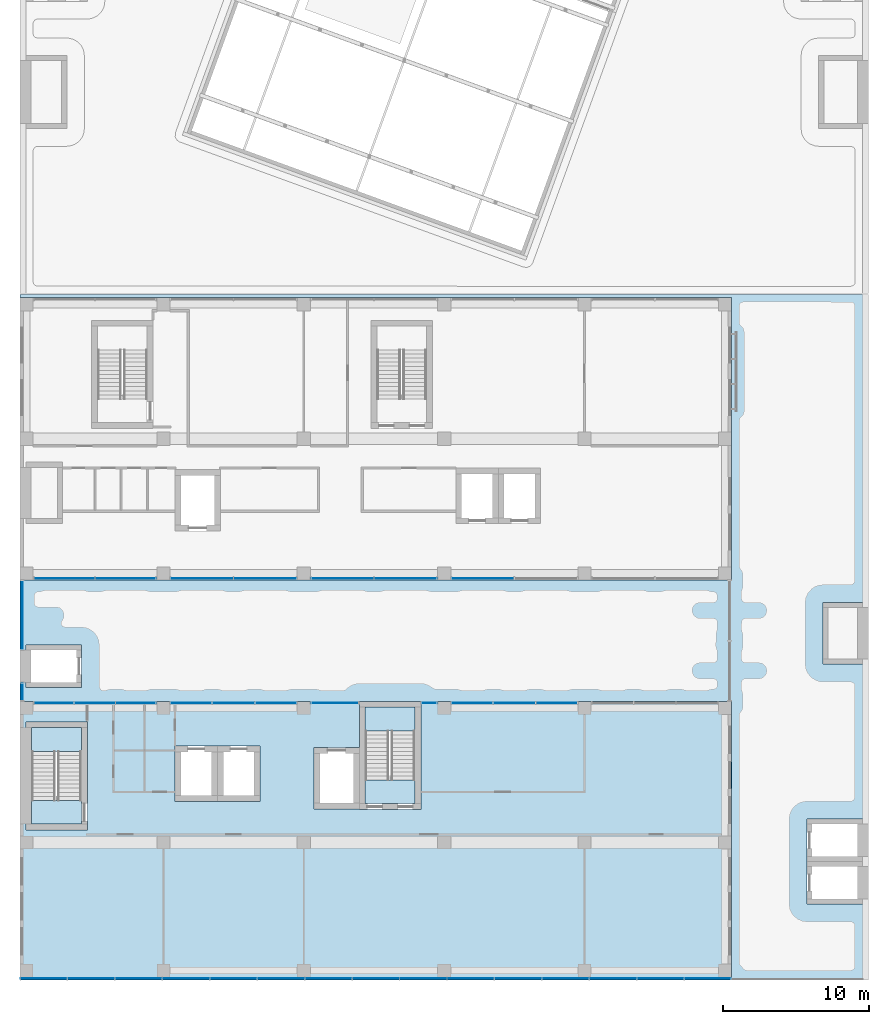
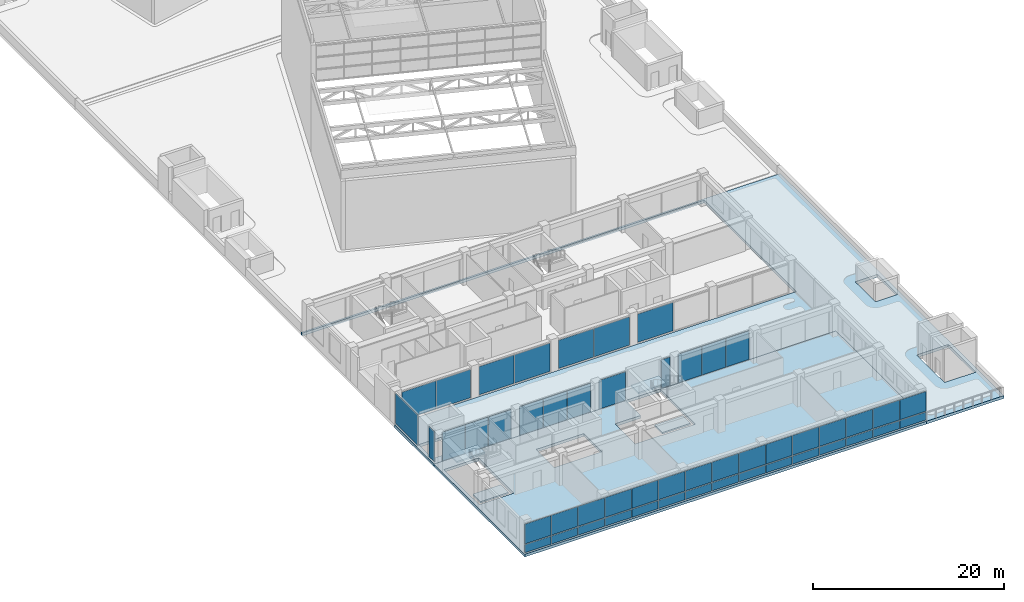
# One storey, part 55 of 72: 50 plates, 6 slabs, 14 elements without a shape of their own.
"""IFC4 building model written with IfcOpenShell, lengths in metres."""

from ifc_helpers import new_model, si_unit, direction, frame, origin, origin_2d, place, context, subcontext, project, spatial, polyline, rectangle, outline, extrude, material, layer, layer_set, type_object, element, aggregate, save


model = new_model("IFC4")

# Units and contexts
model_context = context("Model", 3, precision=1e-05, world=origin(), true_north=direction((0.0, 1.0)))
body_context = subcontext(model_context, "Body", "Model", "MODEL_VIEW")
ifc_project = project(units=[si_unit("LENGTHUNIT", "METRE"), si_unit("AREAUNIT", "SQUARE_METRE"), si_unit("VOLUMEUNIT", "CUBIC_METRE"), si_unit("PLANEANGLEUNIT", "RADIAN"), si_unit("MASSUNIT", "GRAM", prefix="KILO")], contexts=[model_context])

# Site, building, storey
site_placement = place(None, origin())
site = spatial("IfcSite", under=ifc_project, at=site_placement, CompositionType="ELEMENT")
building_placement = place(site_placement, origin())
building = spatial("IfcBuilding", under=site, at=building_placement, Name="Nzadi Deep Aquarium and Research Tower", CompositionType="ELEMENT")
storey_placement = place(building_placement, frame((0.0, 0.0, 31.89990234375)))
storey = spatial("IfcBuildingStorey", under=building, at=storey_placement, Name="L05", CompositionType="ELEMENT", Elevation=31.89990234375)

# Curtain wall, plates
ifc_material_1 = material(Name="Aluminium unitised frame", Category="aluminium")
ifc_layer_1 = layer(ifc_material_1, 0.199951171875)
ifc_layer_set_1 = layer_set([ifc_layer_1], Name="Aluminium unitised frame")
curtain_wall_type_1 = type_object("IfcCurtainWallType", Name="Curtain wall Unitised 200", PredefinedType="NOTDEFINED", material=ifc_layer_set_1)
curtain_wall_1_placement = place(storey_placement, origin())
curtain_wall_1 = element("IfcCurtainWall", 1, at=curtain_wall_1_placement, inside=storey, type_object=curtain_wall_type_1, Name="Unitised curtain wall blade A south L05", PredefinedType="NOTDEFINED")
ifc_material_2 = material(Name="Glass, sage tint", Category="glass")
ifc_layer_2 = layer(ifc_material_2, 0.035888671875)
ifc_layer_set_2 = layer_set([ifc_layer_2], Name="Glass, sage tint")
plate_type_1 = type_object("IfcPlateType", Name="Glazing panel 36 Unitised", PredefinedType="CURTAIN_PANEL", material=ifc_layer_set_2)
plate_1_placement = place(storey_placement, frame((1.436767578125, -0.10009765625, 1.260009765625), z_axis=(0.0, 0.0, 1.0), x_axis=(1.0, 0.0, 0.0)))
plate_1 = element("IfcPlate", 2, at=plate_1_placement, type_object=plate_type_1, Name="CW001 panel 1.2", PredefinedType="CURTAIN_PANEL", context=body_context, shape_type="SweptSolid", body=[
    extrude(rectangle(XDim=3.1533203125, YDim=0.035888671875, at=origin_2d()), origin(), (0.0, 0.0, 1.0), 2.52001953125),
])
plate_2_placement = place(storey_placement, frame((4.6650390625, -0.10009765625, 1.260009765625), z_axis=(0.0, 0.0, 1.0), x_axis=(1.0, 0.0, 0.0)))
plate_2 = element("IfcPlate", 3, at=plate_2_placement, type_object=plate_type_1, Name="CW001 panel 2.2", PredefinedType="CURTAIN_PANEL", context=body_context, shape_type="SweptSolid", body=[
    extrude(rectangle(XDim=3.183349609375, YDim=0.035888671875, at=origin_2d()), origin(), (0.0, 0.0, 1.0), 2.52001953125),
])
plate_3_placement = place(storey_placement, frame((7.908447265625, -0.10009765625, 1.260009765625), z_axis=(0.0, 0.0, 1.0), x_axis=(1.0, 0.0, 0.0)))
plate_3 = element("IfcPlate", 4, at=plate_3_placement, type_object=plate_type_1, Name="CW001 panel 3.2", PredefinedType="CURTAIN_PANEL", context=body_context, shape_type="SweptSolid", body=[
    extrude(rectangle(XDim=3.183349609375, YDim=0.035888671875, at=origin_2d()), origin(), (0.0, 0.0, 1.0), 2.52001953125),
])
plate_4_placement = place(storey_placement, frame((11.151611328125, -0.10009765625, 1.260009765625), z_axis=(0.0, 0.0, 1.0), x_axis=(1.0, 0.0, 0.0)))
plate_4 = element("IfcPlate", 5, at=plate_4_placement, type_object=plate_type_1, Name="CW001 panel 4.2", PredefinedType="CURTAIN_PANEL", context=body_context, shape_type="SweptSolid", body=[
    extrude(rectangle(XDim=3.183349609375, YDim=0.035888671875, at=origin_2d()), origin(), (0.0, 0.0, 1.0), 2.52001953125),
])
plate_5_placement = place(storey_placement, frame((14.39501953125, -0.10009765625, 1.260009765625), z_axis=(0.0, 0.0, 1.0), x_axis=(1.0, 0.0, 0.0)))
plate_5 = element("IfcPlate", 6, at=plate_5_placement, type_object=plate_type_1, Name="CW001 panel 5.2", PredefinedType="CURTAIN_PANEL", context=body_context, shape_type="SweptSolid", body=[
    extrude(rectangle(XDim=3.183349609375, YDim=0.035888671875, at=origin_2d()), origin(), (0.0, 0.0, 1.0), 2.52001953125),
])
plate_6_placement = place(storey_placement, frame((17.638427734375, -0.10009765625, 1.260009765625), z_axis=(0.0, 0.0, 1.0), x_axis=(1.0, 0.0, 0.0)))
plate_6 = element("IfcPlate", 7, at=plate_6_placement, type_object=plate_type_1, Name="CW001 panel 6.2", PredefinedType="CURTAIN_PANEL", context=body_context, shape_type="SweptSolid", body=[
    extrude(rectangle(XDim=3.183349609375, YDim=0.035888671875, at=origin_2d()), origin(), (0.0, 0.0, 1.0), 2.52001953125),
])
plate_7_placement = place(storey_placement, frame((20.881591796875, -0.10009765625, 1.260009765625), z_axis=(0.0, 0.0, 1.0), x_axis=(1.0, 0.0, 0.0)))
plate_7 = element("IfcPlate", 8, at=plate_7_placement, type_object=plate_type_1, Name="CW001 panel 7.2", PredefinedType="CURTAIN_PANEL", context=body_context, shape_type="SweptSolid", body=[
    extrude(rectangle(XDim=3.183349609375, YDim=0.035888671875, at=origin_2d()), origin(), (0.0, 0.0, 1.0), 2.52001953125),
])
plate_8_placement = place(storey_placement, frame((24.125, -0.10009765625, 1.260009765625), z_axis=(0.0, 0.0, 1.0), x_axis=(1.0, 0.0, 0.0)))
plate_8 = element("IfcPlate", 9, at=plate_8_placement, type_object=plate_type_1, Name="CW001 panel 8.2", PredefinedType="CURTAIN_PANEL", context=body_context, shape_type="SweptSolid", body=[
    extrude(rectangle(XDim=3.183349609375, YDim=0.035888671875, at=origin_2d()), origin(), (0.0, 0.0, 1.0), 2.52001953125),
])
plate_9_placement = place(storey_placement, frame((27.368408203125, -0.10009765625, 1.260009765625), z_axis=(0.0, 0.0, 1.0), x_axis=(1.0, 0.0, 0.0)))
plate_9 = element("IfcPlate", 10, at=plate_9_placement, type_object=plate_type_1, Name="CW001 panel 9.2", PredefinedType="CURTAIN_PANEL", context=body_context, shape_type="SweptSolid", body=[
    extrude(rectangle(XDim=3.183349609375, YDim=0.035888671875, at=origin_2d()), origin(), (0.0, 0.0, 1.0), 2.52001953125),
])
plate_10_placement = place(storey_placement, frame((30.611572265625, -0.10009765625, 1.260009765625), z_axis=(0.0, 0.0, 1.0), x_axis=(1.0, 0.0, 0.0)))
plate_10 = element("IfcPlate", 11, at=plate_10_placement, type_object=plate_type_1, Name="CW001 panel 10.2", PredefinedType="CURTAIN_PANEL", context=body_context, shape_type="SweptSolid", body=[
    extrude(rectangle(XDim=3.183349609375, YDim=0.035888671875, at=origin_2d()), origin(), (0.0, 0.0, 1.0), 2.52001953125),
])
plate_11_placement = place(storey_placement, frame((33.85498046875, -0.10009765625, 1.260009765625), z_axis=(0.0, 0.0, 1.0), x_axis=(1.0, 0.0, 0.0)))
plate_11 = element("IfcPlate", 12, at=plate_11_placement, type_object=plate_type_1, Name="CW001 panel 11.2", PredefinedType="CURTAIN_PANEL", context=body_context, shape_type="SweptSolid", body=[
    extrude(rectangle(XDim=3.183349609375, YDim=0.035888671875, at=origin_2d()), origin(), (0.0, 0.0, 1.0), 2.52001953125),
])
plate_12_placement = place(storey_placement, frame((37.098388671875, -0.10009765625, 1.260009765625), z_axis=(0.0, 0.0, 1.0), x_axis=(1.0, 0.0, 0.0)))
plate_12 = element("IfcPlate", 13, at=plate_12_placement, type_object=plate_type_1, Name="CW001 panel 12.2", PredefinedType="CURTAIN_PANEL", context=body_context, shape_type="SweptSolid", body=[
    extrude(rectangle(XDim=3.183349609375, YDim=0.035888671875, at=origin_2d()), origin(), (0.0, 0.0, 1.0), 2.52001953125),
])
plate_13_placement = place(storey_placement, frame((40.341552734375, -0.10009765625, 1.260009765625), z_axis=(0.0, 0.0, 1.0), x_axis=(1.0, 0.0, 0.0)))
plate_13 = element("IfcPlate", 14, at=plate_13_placement, type_object=plate_type_1, Name="CW001 panel 13.2", PredefinedType="CURTAIN_PANEL", context=body_context, shape_type="SweptSolid", body=[
    extrude(rectangle(XDim=3.183349609375, YDim=0.035888671875, at=origin_2d()), origin(), (0.0, 0.0, 1.0), 2.52001953125),
])
plate_14_placement = place(storey_placement, frame((43.5849609375, -0.10009765625, 1.260009765625), z_axis=(0.0, 0.0, 1.0), x_axis=(1.0, 0.0, 0.0)))
plate_14 = element("IfcPlate", 15, at=plate_14_placement, type_object=plate_type_1, Name="CW001 panel 14.2", PredefinedType="CURTAIN_PANEL", context=body_context, shape_type="SweptSolid", body=[
    extrude(rectangle(XDim=3.183349609375, YDim=0.035888671875, at=origin_2d()), origin(), (0.0, 0.0, 1.0), 2.52001953125),
])
plate_15_placement = place(storey_placement, frame((46.813232421875, -0.10009765625, 1.260009765625), z_axis=(0.0, 0.0, 1.0), x_axis=(1.0, 0.0, 0.0)))
plate_15 = element("IfcPlate", 16, at=plate_15_placement, type_object=plate_type_1, Name="CW001 panel 15.2", PredefinedType="CURTAIN_PANEL", context=body_context, shape_type="SweptSolid", body=[
    extrude(rectangle(XDim=3.1533203125, YDim=0.035888671875, at=origin_2d()), origin(), (0.0, 0.0, 1.0), 2.52001953125),
])

curtain_wall_2_placement = place(storey_placement, origin())
curtain_wall_2 = element("IfcCurtainWall", 17, at=curtain_wall_2_placement, inside=storey, type_object=curtain_wall_type_1, Name="Unitised curtain wall blade A north L05", PredefinedType="NOTDEFINED")
plate_16_placement = place(storey_placement, frame((2.123291015625, 18.75, 0.1201171875), z_axis=(0.0, 0.0, 1.0), x_axis=(1.0, 0.0, 0.0)))
plate_16 = element("IfcPlate", 18, at=plate_16_placement, type_object=plate_type_1, Name="CW002 panel 1.1", PredefinedType="CURTAIN_PANEL", context=body_context, shape_type="SweptSolid", body=[
    extrude(rectangle(XDim=2.7265625, YDim=0.035888671875, at=origin_2d()), origin(), (0.0, 0.0, 1.0), 3.659912109375),
])
plate_17_placement = place(storey_placement, frame((4.925048828125, 18.75, 0.1201171875), z_axis=(0.0, 0.0, 1.0), x_axis=(1.0, 0.0, 0.0)))
plate_17 = element("IfcPlate", 19, at=plate_17_placement, type_object=plate_type_1, Name="CW002 panel 2.1", PredefinedType="CURTAIN_PANEL", context=body_context, shape_type="SweptSolid", body=[
    extrude(rectangle(XDim=2.756591796875, YDim=0.035888671875, at=origin_2d()), origin(), (0.0, 0.0, 1.0), 3.659912109375),
])
plate_18_placement = place(storey_placement, frame((7.7265625, 18.75, 0.1201171875), z_axis=(0.0, 0.0, 1.0), x_axis=(1.0, 0.0, 0.0)))
plate_18 = element("IfcPlate", 20, at=plate_18_placement, type_object=plate_type_1, Name="CW002 panel 3.1", PredefinedType="CURTAIN_PANEL", context=body_context, shape_type="SweptSolid", body=[
    extrude(rectangle(XDim=2.7265625, YDim=0.035888671875, at=origin_2d()), origin(), (0.0, 0.0, 1.0), 3.659912109375),
])
aggregate(curtain_wall_2, [plate_16, plate_17, plate_18])

curtain_wall_3_placement = place(storey_placement, origin())
curtain_wall_3 = element("IfcCurtainWall", 21, at=curtain_wall_3_placement, inside=storey, type_object=curtain_wall_type_1, Name="Unitised curtain wall blade A north L05", PredefinedType="NOTDEFINED")
plate_19_placement = place(storey_placement, frame((11.514892578125, 18.75, 0.1201171875), z_axis=(0.0, 0.0, 1.0), x_axis=(1.0, 0.0, 0.0)))
plate_19 = element("IfcPlate", 22, at=plate_19_placement, type_object=plate_type_1, Name="CW003 panel 1.1", PredefinedType="CURTAIN_PANEL", context=body_context, shape_type="SweptSolid", body=[
    extrude(rectangle(XDim=2.81005859375, YDim=0.035888671875, at=origin_2d()), origin(), (0.0, 0.0, 1.0), 3.659912109375),
])
plate_20_placement = place(storey_placement, frame((14.39990234375, 18.75, 0.1201171875), z_axis=(0.0, 0.0, 1.0), x_axis=(1.0, 0.0, 0.0)))
plate_20 = element("IfcPlate", 23, at=plate_20_placement, type_object=plate_type_1, Name="CW003 panel 2.1", PredefinedType="CURTAIN_PANEL", context=body_context, shape_type="SweptSolid", body=[
    extrude(rectangle(XDim=2.840087890625, YDim=0.035888671875, at=origin_2d()), origin(), (0.0, 0.0, 1.0), 3.659912109375),
])
plate_21_placement = place(storey_placement, frame((17.284912109375, 18.75, 0.1201171875), z_axis=(0.0, 0.0, 1.0), x_axis=(1.0, 0.0, 0.0)))
plate_21 = element("IfcPlate", 24, at=plate_21_placement, type_object=plate_type_1, Name="CW003 panel 3.1", PredefinedType="CURTAIN_PANEL", context=body_context, shape_type="SweptSolid", body=[
    extrude(rectangle(XDim=2.81005859375, YDim=0.035888671875, at=origin_2d()), origin(), (0.0, 0.0, 1.0), 3.659912109375),
])
aggregate(curtain_wall_3, [plate_19, plate_20, plate_21])

# Curtain wall, plate
curtain_wall_4_placement = place(storey_placement, origin())
curtain_wall_4 = element("IfcCurtainWall", 25, at=curtain_wall_4_placement, inside=storey, type_object=curtain_wall_type_1, Name="Unitised curtain wall blade A north L05", PredefinedType="NOTDEFINED")
plate_22_placement = place(storey_placement, frame((21.324951171875, 18.75, 0.1201171875), z_axis=(0.0, 0.0, 1.0), x_axis=(1.0, 0.0, 0.0)))
plate_22 = element("IfcPlate", 26, at=plate_22_placement, type_object=plate_type_1, Name="CW004 panel 1.1", PredefinedType="CURTAIN_PANEL", context=body_context, shape_type="SweptSolid", body=[
    extrude(rectangle(XDim=3.22998046875, YDim=0.035888671875, at=origin_2d()), origin(), (0.0, 0.0, 1.0), 3.659912109375),
])
aggregate(curtain_wall_4, [plate_22])

curtain_wall_5_placement = place(storey_placement, origin())
curtain_wall_5 = element("IfcCurtainWall", 27, at=curtain_wall_5_placement, inside=storey, type_object=curtain_wall_type_1, Name="Unitised curtain wall blade A north L05", PredefinedType="NOTDEFINED")
plate_23_placement = place(storey_placement, frame((27.77490234375, 18.75, 0.1201171875), z_axis=(0.0, 0.0, 1.0), x_axis=(1.0, 0.0, 0.0)))
plate_23 = element("IfcPlate", 28, at=plate_23_placement, type_object=plate_type_1, Name="CW005 panel 1.1", PredefinedType="CURTAIN_PANEL", context=body_context, shape_type="SweptSolid", body=[
    extrude(rectangle(XDim=1.030029296875, YDim=0.035888671875, at=origin_2d()), origin(), (0.0, 0.0, 1.0), 3.659912109375),
])
aggregate(curtain_wall_5, [plate_23])

# Curtain wall, plates
curtain_wall_6_placement = place(storey_placement, origin())
curtain_wall_6 = element("IfcCurtainWall", 29, at=curtain_wall_6_placement, inside=storey, type_object=curtain_wall_type_1, Name="Unitised curtain wall blade A north L05", PredefinedType="NOTDEFINED")
plate_24_placement = place(storey_placement, frame((30.715087890625, 18.75, 0.1201171875), z_axis=(0.0, 0.0, 1.0), x_axis=(1.0, 0.0, 0.0)))
plate_24 = element("IfcPlate", 30, at=plate_24_placement, type_object=plate_type_1, Name="CW006 panel 1.1", PredefinedType="CURTAIN_PANEL", context=body_context, shape_type="SweptSolid", body=[
    extrude(rectangle(XDim=2.81005859375, YDim=0.035888671875, at=origin_2d()), origin(), (0.0, 0.0, 1.0), 3.659912109375),
])
plate_25_placement = place(storey_placement, frame((33.60009765625, 18.75, 0.1201171875), z_axis=(0.0, 0.0, 1.0), x_axis=(1.0, 0.0, 0.0)))
plate_25 = element("IfcPlate", 31, at=plate_25_placement, type_object=plate_type_1, Name="CW006 panel 2.1", PredefinedType="CURTAIN_PANEL", context=body_context, shape_type="SweptSolid", body=[
    extrude(rectangle(XDim=2.840087890625, YDim=0.035888671875, at=origin_2d()), origin(), (0.0, 0.0, 1.0), 3.659912109375),
])
plate_26_placement = place(storey_placement, frame((36.485107421875, 18.75, 0.1201171875), z_axis=(0.0, 0.0, 1.0), x_axis=(1.0, 0.0, 0.0)))
plate_26 = element("IfcPlate", 32, at=plate_26_placement, type_object=plate_type_1, Name="CW006 panel 3.1", PredefinedType="CURTAIN_PANEL", context=body_context, shape_type="SweptSolid", body=[
    extrude(rectangle(XDim=2.81005859375, YDim=0.035888671875, at=origin_2d()), origin(), (0.0, 0.0, 1.0), 3.659912109375),
])
aggregate(curtain_wall_6, [plate_24, plate_25, plate_26])

ifc_material_3 = material(Name="Aluminium unitised frame deep", Category="aluminium")
ifc_layer_3 = layer(ifc_material_3, 0.22509765625)
ifc_layer_set_3 = layer_set([ifc_layer_3], Name="Aluminium unitised frame deep")
curtain_wall_type_2 = type_object("IfcCurtainWallType", Name="Curtain wall Unitised Deep 225", PredefinedType="NOTDEFINED", material=ifc_layer_set_3)
curtain_wall_7_placement = place(storey_placement, origin())
curtain_wall_7 = element("IfcCurtainWall", 33, at=curtain_wall_7_placement, inside=storey, type_object=curtain_wall_type_2, Name="Unitised curtain wall blade B south L05", PredefinedType="NOTDEFINED")
ifc_material_4 = material(Name="Glass, sage tint", Category="glass")
ifc_layer_4 = layer(ifc_material_4, 0.0400390625)
ifc_layer_set_4 = layer_set([ifc_layer_4], Name="Glass, sage tint")
plate_type_2 = type_object("IfcPlateType", Name="Glazing panel 40 Unitised Deep", PredefinedType="CURTAIN_PANEL", material=ifc_layer_set_4)
plate_27_placement = place(storey_placement, frame((2.827392578125, 27.262451171875, 0.14013671875), z_axis=(0.0, 0.0, 1.0), x_axis=(1.0, 0.0, 0.0)))
plate_27 = element("IfcPlate", 34, at=plate_27_placement, type_object=plate_type_2, Name="CW078 panel 1.1", PredefinedType="CURTAIN_PANEL", context=body_context, shape_type="SweptSolid", body=[
    extrude(rectangle(XDim=4.135009765625, YDim=0.0400390625, at=origin_2d()), origin(), (0.0, 0.0, 1.0), 3.6201171875),
])
plate_28_placement = place(storey_placement, frame((7.0224609375, 27.262451171875, 0.14013671875), z_axis=(0.0, 0.0, 1.0), x_axis=(1.0, 0.0, 0.0)))
plate_28 = element("IfcPlate", 35, at=plate_28_placement, type_object=plate_type_2, Name="CW078 panel 2.1", PredefinedType="CURTAIN_PANEL", context=body_context, shape_type="SweptSolid", body=[
    extrude(rectangle(XDim=4.135009765625, YDim=0.0400390625, at=origin_2d()), origin(), (0.0, 0.0, 1.0), 3.6201171875),
])
aggregate(curtain_wall_7, [plate_27, plate_28])

curtain_wall_8_placement = place(storey_placement, origin())
curtain_wall_8 = element("IfcCurtainWall", 36, at=curtain_wall_8_placement, inside=storey, type_object=curtain_wall_type_2, Name="Unitised curtain wall blade B south L05", PredefinedType="NOTDEFINED")
plate_29_placement = place(storey_placement, frame((12.239990234375, 27.262451171875, 0.14013671875), z_axis=(0.0, 0.0, 1.0), x_axis=(1.0, 0.0, 0.0)))
plate_29 = element("IfcPlate", 37, at=plate_29_placement, type_object=plate_type_2, Name="CW079 panel 1.1", PredefinedType="CURTAIN_PANEL", context=body_context, shape_type="SweptSolid", body=[
    extrude(rectangle(XDim=4.260009765625, YDim=0.0400390625, at=origin_2d()), origin(), (0.0, 0.0, 1.0), 3.6201171875),
])
plate_30_placement = place(storey_placement, frame((16.56005859375, 27.262451171875, 0.14013671875), z_axis=(0.0, 0.0, 1.0), x_axis=(1.0, 0.0, 0.0)))
plate_30 = element("IfcPlate", 38, at=plate_30_placement, type_object=plate_type_2, Name="CW079 panel 2.1", PredefinedType="CURTAIN_PANEL", context=body_context, shape_type="SweptSolid", body=[
    extrude(rectangle(XDim=4.260009765625, YDim=0.0400390625, at=origin_2d()), origin(), (0.0, 0.0, 1.0), 3.6201171875),
])
aggregate(curtain_wall_8, [plate_29, plate_30])

curtain_wall_9_placement = place(storey_placement, origin())
curtain_wall_9 = element("IfcCurtainWall", 39, at=curtain_wall_9_placement, inside=storey, type_object=curtain_wall_type_2, Name="Unitised curtain wall blade B south L05", PredefinedType="NOTDEFINED")
plate_31_placement = place(storey_placement, frame((21.840087890625, 27.262451171875, 0.14013671875), z_axis=(0.0, 0.0, 1.0), x_axis=(1.0, 0.0, 0.0)))
plate_31 = element("IfcPlate", 40, at=plate_31_placement, type_object=plate_type_2, Name="CW080 panel 1.1", PredefinedType="CURTAIN_PANEL", context=body_context, shape_type="SweptSolid", body=[
    extrude(rectangle(XDim=4.260009765625, YDim=0.0400390625, at=origin_2d()), origin(), (0.0, 0.0, 1.0), 3.6201171875),
])
plate_32_placement = place(storey_placement, frame((26.159912109375, 27.262451171875, 0.14013671875), z_axis=(0.0, 0.0, 1.0), x_axis=(1.0, 0.0, 0.0)))
plate_32 = element("IfcPlate", 41, at=plate_32_placement, type_object=plate_type_2, Name="CW080 panel 2.1", PredefinedType="CURTAIN_PANEL", context=body_context, shape_type="SweptSolid", body=[
    extrude(rectangle(XDim=4.260009765625, YDim=0.0400390625, at=origin_2d()), origin(), (0.0, 0.0, 1.0), 3.6201171875),
])
aggregate(curtain_wall_9, [plate_31, plate_32])

# Curtain wall, plate
curtain_wall_10_placement = place(storey_placement, origin())
curtain_wall_10 = element("IfcCurtainWall", 42, at=curtain_wall_10_placement, inside=storey, type_object=curtain_wall_type_2, Name="Unitised curtain wall blade B south L05", PredefinedType="NOTDEFINED")
plate_33_placement = place(storey_placement, frame((31.43994140625, 27.262451171875, 0.14013671875), z_axis=(0.0, 0.0, 1.0), x_axis=(1.0, 0.0, 0.0)))
plate_33 = element("IfcPlate", 43, at=plate_33_placement, type_object=plate_type_2, Name="CW081 panel 1.1", PredefinedType="CURTAIN_PANEL", context=body_context, shape_type="SweptSolid", body=[
    extrude(rectangle(XDim=4.260009765625, YDim=0.0400390625, at=origin_2d()), origin(), (0.0, 0.0, 1.0), 3.6201171875),
])
aggregate(curtain_wall_10, [plate_33])

ifc_material_5 = material(Name="Aluminium unitised frame wind post", Category="aluminium")
ifc_layer_5 = layer(ifc_material_5, 0.300048828125)
ifc_layer_set_5 = layer_set([ifc_layer_5], Name="Aluminium unitised frame wind post")
curtain_wall_type_3 = type_object("IfcCurtainWallType", Name="Curtain wall Slot End 300", PredefinedType="NOTDEFINED", material=ifc_layer_set_5)
curtain_wall_11_placement = place(storey_placement, origin())
curtain_wall_11 = element("IfcCurtainWall", 44, at=curtain_wall_11_placement, inside=storey, type_object=curtain_wall_type_3, Name="Glazed slot end west L05", PredefinedType="NOTDEFINED")
ifc_material_6 = material(Name="Glass, sage tint", Category="glass")
ifc_layer_6 = layer(ifc_material_6, 0.0439453125)
ifc_layer_set_6 = layer_set([ifc_layer_6], Name="Glass, sage tint")
plate_type_3 = type_object("IfcPlateType", Name="Glazing panel 44 Slot End", PredefinedType="CURTAIN_PANEL", material=ifc_layer_set_6)
plate_34_placement = place(storey_placement, frame((-0.050048828125, 19.5, 0.16015625), z_axis=(0.0, 0.0, 1.0), x_axis=(0.0, 1.0, 0.0)))
plate_34 = element("IfcPlate", 45, at=plate_34_placement, type_object=plate_type_3, Name="CW200 panel 1.1", PredefinedType="CURTAIN_PANEL", context=body_context, shape_type="SweptSolid", body=[
    extrude(rectangle(XDim=1.179931640625, YDim=0.0439453125, at=origin_2d()), origin(), (0.0, 0.0, 1.0), 3.8798828125),
])
aggregate(curtain_wall_11, [plate_34])

curtain_wall_12_placement = place(storey_placement, origin())
curtain_wall_12 = element("IfcCurtainWall", 46, at=curtain_wall_12_placement, inside=storey, type_object=curtain_wall_type_3, Name="Glazed slot end west L05", PredefinedType="NOTDEFINED")
plate_35_placement = place(storey_placement, frame((-0.050048828125, 24.75, 0.16015625), z_axis=(0.0, 0.0, 1.0), x_axis=(0.0, 1.0, 0.0)))
plate_35 = element("IfcPlate", 47, at=plate_35_placement, type_object=plate_type_3, Name="CW201 panel 1.1", PredefinedType="CURTAIN_PANEL", context=body_context, shape_type="SweptSolid", body=[
    extrude(rectangle(XDim=4.679931640625, YDim=0.0439453125, at=origin_2d()), origin(), (0.0, 0.0, 1.0), 3.8798828125),
])
aggregate(curtain_wall_12, [plate_35])

# Stair, slabs
ifc_material_7 = material(Name="Concrete C35/45", Category="concrete")
stair_type = type_object("IfcStairType", Name="STAIR RETURN 3000", PredefinedType="NOTDEFINED", material=ifc_material_7)
stair_1_placement = place(storey_placement, origin())
stair_1 = element("IfcStair", 48, at=stair_1_placement, inside=storey, type_object=stair_type, Name="Stair ST-Z1-SW L05", PredefinedType="HALF_TURN_STAIR")
ifc_material_8 = material(Name="Concrete C35/45", Category="concrete")
ifc_layer_7 = layer(ifc_material_8, 0.199951171875)
ifc_layer_set_7 = layer_set([ifc_layer_7], Name="Concrete C35/45")
slab_type_1 = type_object("IfcSlabType", Name="LANDING 200", PredefinedType="LANDING", material=ifc_layer_set_7)
slab_1_placement = place(storey_placement, frame((0.0, 0.0, -0.199951171875)))
slab_1 = element("IfcSlab", 49, at=slab_1_placement, type_object=slab_type_1, Name="ST-Z1-SW landing 1", PredefinedType="LANDING", context=body_context, shape_type="SweptSolid", body=[
    extrude(outline(polyline([(0.60009765625, 10.449951171875), (4.0, 10.449951171875), (4.0, 12.070068359375), (0.60009765625, 12.070068359375), (0.60009765625, 10.449951171875)])), origin(), (0.0, 0.0, 1.0), 0.199951171875),
])
slab_2_placement = place(storey_placement, frame((0.0, 0.0, 1.900146484375)))
slab_2 = element("IfcSlab", 50, at=slab_2_placement, type_object=slab_type_1, Name="ST-Z1-SW landing 2", PredefinedType="LANDING", context=body_context, shape_type="SweptSolid", body=[
    extrude(outline(polyline([(0.60009765625, 15.429931640625), (4.0, 15.429931640625), (4.0, 17.050048828125), (0.60009765625, 17.050048828125), (0.60009765625, 15.429931640625)])), origin(), (0.0, 0.0, 1.0), 0.199951171875),
])
aggregate(stair_1, [slab_1, slab_2])

stair_2_placement = place(storey_placement, origin())
stair_2 = element("IfcStair", 51, at=stair_2_placement, inside=storey, type_object=stair_type, Name="Stair ST-Z1-SE L05", PredefinedType="HALF_TURN_STAIR")
slab_3_placement = place(storey_placement, frame((0.0, 0.0, -0.199951171875)))
slab_3 = element("IfcSlab", 52, at=slab_3_placement, type_object=slab_type_1, Name="ST-Z1-SE landing 1", PredefinedType="LANDING", context=body_context, shape_type="SweptSolid", body=[
    extrude(outline(polyline([(23.39990234375, 11.85009765625), (26.800048828125, 11.85009765625), (26.800048828125, 13.469970703125), (23.39990234375, 13.469970703125), (23.39990234375, 11.85009765625)])), origin(), (0.0, 0.0, 1.0), 0.199951171875),
])
slab_4_placement = place(storey_placement, frame((0.0, 0.0, 1.900146484375)))
slab_4 = element("IfcSlab", 53, at=slab_4_placement, type_object=slab_type_1, Name="ST-Z1-SE landing 2", PredefinedType="LANDING", context=body_context, shape_type="SweptSolid", body=[
    extrude(outline(polyline([(23.39990234375, 16.830078125), (26.800048828125, 16.830078125), (26.800048828125, 18.449951171875), (23.39990234375, 18.449951171875), (23.39990234375, 16.830078125)])), origin(), (0.0, 0.0, 1.0), 0.199951171875),
])
aggregate(stair_2, [slab_3, slab_4])

# Slabs
ifc_material_9 = material(Name="Concrete C35/45", Category="concrete")
ifc_layer_8 = layer(ifc_material_9, 0.35009765625)
ifc_layer_set_8 = layer_set([ifc_layer_8], Name="Concrete C35/45")
slab_type_2 = type_object("IfcSlabType", Name="RC floor slab 350", PredefinedType="FLOOR", material=ifc_layer_set_8)
slab_5_placement = place(storey_placement, frame((0.0, 0.0, -0.349853515625)))
element("IfcSlab", 54, at=slab_5_placement, inside=storey, type_object=slab_type_2, Name="Tower floor A L05", PredefinedType="FLOOR", context=body_context, shape_type="SweptSolid", body=[
    extrude(outline(polyline([(27.199951171875, 11.449951171875), (23.0, 11.449951171875), (23.0, 11.5), (19.89990234375, 11.5), (19.89990234375, 15.699951171875), (23.0, 15.699951171875), (23.0, 18.85009765625), (-0.199462890625, 18.85009765625), (-0.199462890625, -0.199951171875), (48.449951171875, -0.199951171875), (48.449951171875, 18.85009765625), (27.199951171875, 18.85009765625), (27.199951171875, 11.449951171875)]), holes=[polyline([(4.39990234375, 17.449951171875), (4.39990234375, 10.050048828125), (0.199951171875, 10.050048828125), (0.199951171875, 17.449951171875), (4.39990234375, 17.449951171875)]), polyline([(10.39990234375, 12.0), (10.39990234375, 15.800048828125), (13.300048828125, 15.800048828125), (16.199951171875, 15.800048828125), (16.199951171875, 12.0), (13.300048828125, 12.0), (10.39990234375, 12.0)])]), origin(), (0.0, 0.0, 1.0), 0.349853515625),
])
ifc_material_10 = material(Name="Concrete C35/45", Category="concrete")
ifc_layer_9 = layer(ifc_material_10, 0.35009765625)
ifc_layer_set_9 = layer_set([ifc_layer_9], Name="Concrete C35/45")
slab_type_3 = type_object("IfcSlabType", Name="RC roof slab 350", PredefinedType="ROOF", material=ifc_layer_set_9)
slab_6_placement = place(storey_placement, frame((0.0, 0.0, -0.349853515625)))
element("IfcSlab", 55, at=slab_6_placement, inside=storey, type_object=slab_type_3, Name="Terrace L05 Z1", PredefinedType="ROOF", context=body_context, shape_type="SweptSolid", body=[
    extrude(outline(polyline([(-0.199462890625, 18.85009765625), (48.449951171875, 18.85009765625), (48.449951171875, -0.199951171875), (57.799560546875, -0.199951171875), (57.799560546875, 46.679931640625), (-0.199462890625, 46.679931640625), (-0.199462890625, 46.449951171875), (48.449951171875, 46.449951171875), (48.449951171875, 27.14990234375), (-0.199462890625, 27.14990234375), (-0.199462890625, 18.85009765625)]), holes=[polyline([(4.0, 19.800048828125), (0.199951171875, 19.800048828125), (0.199951171875, 22.699951171875), (4.0, 22.699951171875), (4.0, 19.800048828125)]), polyline([(57.39990234375, 5.0), (53.60009765625, 5.0), (53.60009765625, 7.89990234375), (53.60009765625, 10.800048828125), (57.39990234375, 10.800048828125), (57.39990234375, 7.89990234375), (57.39990234375, 5.0)]), polyline([(57.39990234375, 25.60009765625), (57.39990234375, 21.39990234375), (54.699951171875, 21.39990234375), (54.699951171875, 25.60009765625), (57.39990234375, 25.60009765625)])]), origin(), (0.0, 0.0, 1.0), 0.349853515625),
])

# Plate
ifc_material_11 = material(Name="Glass spandrel, enamelled", Category="glass")
ifc_layer_10 = layer(ifc_material_11, 0.035888671875)
ifc_layer_set_10 = layer_set([ifc_layer_10], Name="Glass spandrel, enamelled")
plate_type_4 = type_object("IfcPlateType", Name="Spandrel panel 36 Unitised", PredefinedType="CURTAIN_PANEL", material=ifc_layer_set_10)
plate_36_placement = place(storey_placement, frame((1.436767578125, -0.10009765625, 0.1201171875), z_axis=(0.0, 0.0, 1.0), x_axis=(1.0, 0.0, 0.0)))
plate_36 = element("IfcPlate", 56, at=plate_36_placement, type_object=plate_type_4, Name="CW001 panel 1.1", PredefinedType="CURTAIN_PANEL", context=body_context, shape_type="SweptSolid", body=[
    extrude(rectangle(XDim=3.1533203125, YDim=0.035888671875, at=origin_2d()), origin(), (0.0, 0.0, 1.0), 1.02001953125),
])

plate_37_placement = place(storey_placement, frame((4.6650390625, -0.10009765625, 0.1201171875), z_axis=(0.0, 0.0, 1.0), x_axis=(1.0, 0.0, 0.0)))
plate_37 = element("IfcPlate", 57, at=plate_37_placement, type_object=plate_type_4, Name="CW001 panel 2.1", PredefinedType="CURTAIN_PANEL", context=body_context, shape_type="SweptSolid", body=[
    extrude(rectangle(XDim=3.183349609375, YDim=0.035888671875, at=origin_2d()), origin(), (0.0, 0.0, 1.0), 1.02001953125),
])

plate_38_placement = place(storey_placement, frame((7.908447265625, -0.10009765625, 0.1201171875), z_axis=(0.0, 0.0, 1.0), x_axis=(1.0, 0.0, 0.0)))
plate_38 = element("IfcPlate", 58, at=plate_38_placement, type_object=plate_type_4, Name="CW001 panel 3.1", PredefinedType="CURTAIN_PANEL", context=body_context, shape_type="SweptSolid", body=[
    extrude(rectangle(XDim=3.183349609375, YDim=0.035888671875, at=origin_2d()), origin(), (0.0, 0.0, 1.0), 1.02001953125),
])

plate_39_placement = place(storey_placement, frame((11.151611328125, -0.10009765625, 0.1201171875), z_axis=(0.0, 0.0, 1.0), x_axis=(1.0, 0.0, 0.0)))
plate_39 = element("IfcPlate", 59, at=plate_39_placement, type_object=plate_type_4, Name="CW001 panel 4.1", PredefinedType="CURTAIN_PANEL", context=body_context, shape_type="SweptSolid", body=[
    extrude(rectangle(XDim=3.183349609375, YDim=0.035888671875, at=origin_2d()), origin(), (0.0, 0.0, 1.0), 1.02001953125),
])

plate_40_placement = place(storey_placement, frame((14.39501953125, -0.10009765625, 0.1201171875), z_axis=(0.0, 0.0, 1.0), x_axis=(1.0, 0.0, 0.0)))
plate_40 = element("IfcPlate", 60, at=plate_40_placement, type_object=plate_type_4, Name="CW001 panel 5.1", PredefinedType="CURTAIN_PANEL", context=body_context, shape_type="SweptSolid", body=[
    extrude(rectangle(XDim=3.183349609375, YDim=0.035888671875, at=origin_2d()), origin(), (0.0, 0.0, 1.0), 1.02001953125),
])

plate_41_placement = place(storey_placement, frame((17.638427734375, -0.10009765625, 0.1201171875), z_axis=(0.0, 0.0, 1.0), x_axis=(1.0, 0.0, 0.0)))
plate_41 = element("IfcPlate", 61, at=plate_41_placement, type_object=plate_type_4, Name="CW001 panel 6.1", PredefinedType="CURTAIN_PANEL", context=body_context, shape_type="SweptSolid", body=[
    extrude(rectangle(XDim=3.183349609375, YDim=0.035888671875, at=origin_2d()), origin(), (0.0, 0.0, 1.0), 1.02001953125),
])

plate_42_placement = place(storey_placement, frame((20.881591796875, -0.10009765625, 0.1201171875), z_axis=(0.0, 0.0, 1.0), x_axis=(1.0, 0.0, 0.0)))
plate_42 = element("IfcPlate", 62, at=plate_42_placement, type_object=plate_type_4, Name="CW001 panel 7.1", PredefinedType="CURTAIN_PANEL", context=body_context, shape_type="SweptSolid", body=[
    extrude(rectangle(XDim=3.183349609375, YDim=0.035888671875, at=origin_2d()), origin(), (0.0, 0.0, 1.0), 1.02001953125),
])

plate_43_placement = place(storey_placement, frame((24.125, -0.10009765625, 0.1201171875), z_axis=(0.0, 0.0, 1.0), x_axis=(1.0, 0.0, 0.0)))
plate_43 = element("IfcPlate", 63, at=plate_43_placement, type_object=plate_type_4, Name="CW001 panel 8.1", PredefinedType="CURTAIN_PANEL", context=body_context, shape_type="SweptSolid", body=[
    extrude(rectangle(XDim=3.183349609375, YDim=0.035888671875, at=origin_2d()), origin(), (0.0, 0.0, 1.0), 1.02001953125),
])

plate_44_placement = place(storey_placement, frame((27.368408203125, -0.10009765625, 0.1201171875), z_axis=(0.0, 0.0, 1.0), x_axis=(1.0, 0.0, 0.0)))
plate_44 = element("IfcPlate", 64, at=plate_44_placement, type_object=plate_type_4, Name="CW001 panel 9.1", PredefinedType="CURTAIN_PANEL", context=body_context, shape_type="SweptSolid", body=[
    extrude(rectangle(XDim=3.183349609375, YDim=0.035888671875, at=origin_2d()), origin(), (0.0, 0.0, 1.0), 1.02001953125),
])

plate_45_placement = place(storey_placement, frame((30.611572265625, -0.10009765625, 0.1201171875), z_axis=(0.0, 0.0, 1.0), x_axis=(1.0, 0.0, 0.0)))
plate_45 = element("IfcPlate", 65, at=plate_45_placement, type_object=plate_type_4, Name="CW001 panel 10.1", PredefinedType="CURTAIN_PANEL", context=body_context, shape_type="SweptSolid", body=[
    extrude(rectangle(XDim=3.183349609375, YDim=0.035888671875, at=origin_2d()), origin(), (0.0, 0.0, 1.0), 1.02001953125),
])

plate_46_placement = place(storey_placement, frame((33.85498046875, -0.10009765625, 0.1201171875), z_axis=(0.0, 0.0, 1.0), x_axis=(1.0, 0.0, 0.0)))
plate_46 = element("IfcPlate", 66, at=plate_46_placement, type_object=plate_type_4, Name="CW001 panel 11.1", PredefinedType="CURTAIN_PANEL", context=body_context, shape_type="SweptSolid", body=[
    extrude(rectangle(XDim=3.183349609375, YDim=0.035888671875, at=origin_2d()), origin(), (0.0, 0.0, 1.0), 1.02001953125),
])

plate_47_placement = place(storey_placement, frame((37.098388671875, -0.10009765625, 0.1201171875), z_axis=(0.0, 0.0, 1.0), x_axis=(1.0, 0.0, 0.0)))
plate_47 = element("IfcPlate", 67, at=plate_47_placement, type_object=plate_type_4, Name="CW001 panel 12.1", PredefinedType="CURTAIN_PANEL", context=body_context, shape_type="SweptSolid", body=[
    extrude(rectangle(XDim=3.183349609375, YDim=0.035888671875, at=origin_2d()), origin(), (0.0, 0.0, 1.0), 1.02001953125),
])

plate_48_placement = place(storey_placement, frame((40.341552734375, -0.10009765625, 0.1201171875), z_axis=(0.0, 0.0, 1.0), x_axis=(1.0, 0.0, 0.0)))
plate_48 = element("IfcPlate", 68, at=plate_48_placement, type_object=plate_type_4, Name="CW001 panel 13.1", PredefinedType="CURTAIN_PANEL", context=body_context, shape_type="SweptSolid", body=[
    extrude(rectangle(XDim=3.183349609375, YDim=0.035888671875, at=origin_2d()), origin(), (0.0, 0.0, 1.0), 1.02001953125),
])

plate_49_placement = place(storey_placement, frame((43.5849609375, -0.10009765625, 0.1201171875), z_axis=(0.0, 0.0, 1.0), x_axis=(1.0, 0.0, 0.0)))
plate_49 = element("IfcPlate", 69, at=plate_49_placement, type_object=plate_type_4, Name="CW001 panel 14.1", PredefinedType="CURTAIN_PANEL", context=body_context, shape_type="SweptSolid", body=[
    extrude(rectangle(XDim=3.183349609375, YDim=0.035888671875, at=origin_2d()), origin(), (0.0, 0.0, 1.0), 1.02001953125),
])

plate_50_placement = place(storey_placement, frame((46.813232421875, -0.10009765625, 0.1201171875), z_axis=(0.0, 0.0, 1.0), x_axis=(1.0, 0.0, 0.0)))
plate_50 = element("IfcPlate", 70, at=plate_50_placement, type_object=plate_type_4, Name="CW001 panel 15.1", PredefinedType="CURTAIN_PANEL", context=body_context, shape_type="SweptSolid", body=[
    extrude(rectangle(XDim=3.1533203125, YDim=0.035888671875, at=origin_2d()), origin(), (0.0, 0.0, 1.0), 1.02001953125),
])

aggregate(curtain_wall_1, [plate_36, plate_1, plate_37, plate_2, plate_38, plate_3, plate_39, plate_4, plate_40, plate_5, plate_41, plate_6, plate_42, plate_7, plate_43, plate_8, plate_44, plate_9, plate_45, plate_10, plate_46, plate_11, plate_47, plate_12, plate_48, plate_13, plate_49, plate_14, plate_50, plate_15])

save(model, "model.ifc")
